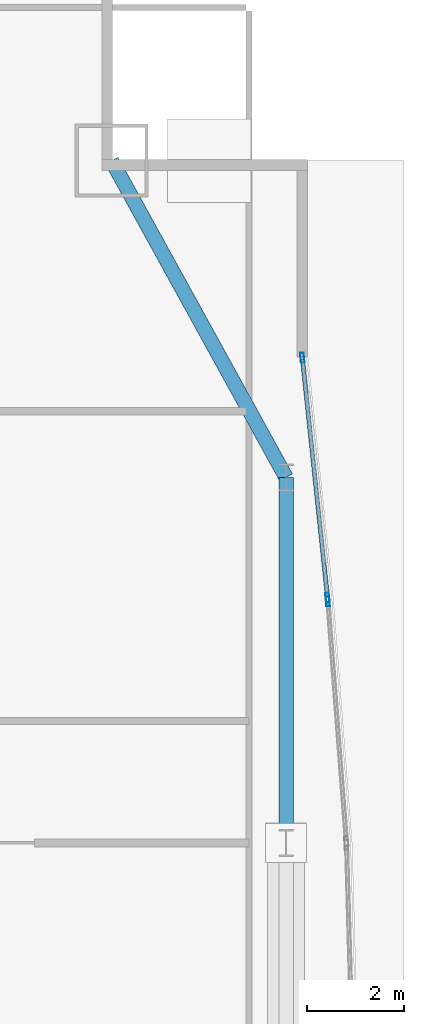
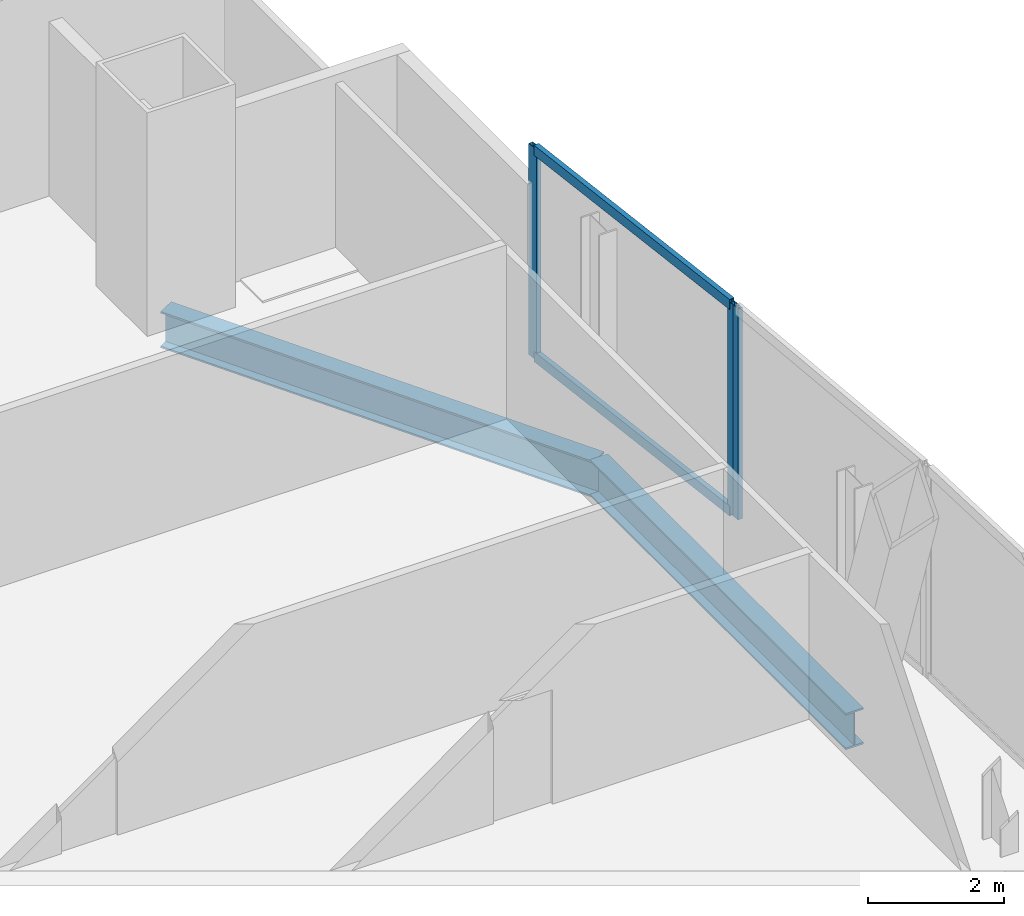
# One storey, part 23 of 32: 5 members, 2 beams, 2 elements without a shape of their own.
"""IFC4 building model written with IfcOpenShell, lengths in metres."""

from ifc_helpers import new_model, si_unit, direction, frame, origin, origin_2d, place, context, subcontext, project, spatial, hollow_rectangle, i_section, extrude, material, material_profile, profile_set, type_object, element, aggregate, save


model = new_model("IFC4")

# Units and contexts
model_context = context("Model", 3, precision=1e-05, world=origin(), true_north=direction((0.0, 1.0)))
body_context = subcontext(model_context, "Body", "Model", "MODEL_VIEW")
ifc_project = project(units=[si_unit("LENGTHUNIT", "METRE"), si_unit("AREAUNIT", "SQUARE_METRE"), si_unit("VOLUMEUNIT", "CUBIC_METRE"), si_unit("PLANEANGLEUNIT", "RADIAN"), si_unit("MASSUNIT", "GRAM", prefix="KILO")], contexts=[model_context])

# Site, building, storey
site_placement = place(None, origin())
site = spatial("IfcSite", under=ifc_project, at=site_placement, CompositionType="ELEMENT")
building_placement = place(site_placement, origin())
building = spatial("IfcBuilding", under=site, at=building_placement, Name="Khoronbel Lancet Exchange", CompositionType="ELEMENT")
storey_placement = place(building_placement, frame((0.0, 0.0, 81.800048828125)))
storey = spatial("IfcBuildingStorey", under=building, at=storey_placement, Name="L19", CompositionType="ELEMENT", Elevation=81.800048828125)

# Beams
ifc_material_1 = material(Name="Steel S355", Category="steel")
ifc_material_profile_1 = material_profile(ifc_material_1, i_section(OverallWidth=0.300048828125, OverallDepth=0.64990234375, WebThickness=0.01611328125, FlangeThickness=0.031005859375, at=origin_2d()), Name="HEB 650")
ifc_profile_set_1 = profile_set([ifc_material_profile_1], Name="Steel S355")
beam_type = type_object("IfcBeamType", Name="BM-BSP1", PredefinedType="SPANDREL", material=ifc_profile_set_1)
beam_1_placement = place(storey_placement, frame((69.6298828125, 35.699951171875, -0.505126953125), z_axis=(0.0, 1.0, 0.0), x_axis=(-1.0, 0.0, 0.0)))
element("IfcBeam", 1, at=beam_1_placement, inside=storey, type_object=beam_type, Name="Level L19 perimeter spandrel beam SP12", PredefinedType="SPANDREL", context=body_context, shape_type="SweptSolid", body=[
    extrude(i_section(OverallWidth=0.300048828125, OverallDepth=0.64990234375, WebThickness=0.01611328125, FlangeThickness=0.031005859375, at=origin_2d()), origin(), (0.0, 0.0, 1.0), 7.5),
])
beam_2_placement = place(storey_placement, frame((69.6298828125, 43.199951171875, -0.505126953125), z_axis=(-0.482418808117, 0.875940690672, 0.0), x_axis=(-0.875940690672, -0.482418808117, 0.0)))
element("IfcBeam", 2, at=beam_2_placement, inside=storey, type_object=beam_type, Name="Level L19 perimeter spandrel beam SP13", PredefinedType="SPANDREL", context=body_context, shape_type="SweptSolid", body=[
    extrude(i_section(OverallWidth=0.300048828125, OverallDepth=0.64990234375, WebThickness=0.01611328125, FlangeThickness=0.031005859375, at=origin_2d()), origin(), (0.0, 0.0, 1.0), 7.420654296875),
])

# Curtain wall, members
ifc_material_2 = material(Name="Low-E Solar Control Insulating Glass", Category="glass")
curtain_wall_type = type_object("IfcCurtainWallType", Name="CW-4", PredefinedType="NOTDEFINED", material=ifc_material_2)
curtain_wall_1_placement = place(storey_placement, origin())
curtain_wall_1 = element("IfcCurtainWall", 3, at=curtain_wall_1_placement, inside=storey, type_object=curtain_wall_type, Name="Unitised curtain wall CW-L19-E17", PredefinedType="NOTDEFINED")
ifc_material_3 = material(Name="Bronze-Anodised Aluminium 6063-T6", Category="aluminium")
ifc_material_profile_2 = material_profile(ifc_material_3, hollow_rectangle(XDim=0.074951171875, YDim=0.199951171875, WallThickness=0.0048828125, at=origin_2d()), Name="ALU MULLION 75x200")
ifc_profile_set_2 = profile_set([ifc_material_profile_2], Name="Bronze-Anodised Aluminium 6063-T6")
member_type_1 = type_object("IfcMemberType", Name="MEM-CWM2", PredefinedType="MULLION", material=ifc_profile_set_2)
member_1_placement = place(storey_placement, frame((69.9638671875, 45.657958984375, 0.0), z_axis=(0.0, 0.0, 1.0), x_axis=(0.994531779003, 0.104434383958, 0.0)))
member_1 = element("IfcMember", 4, at=member_1_placement, type_object=member_type_1, Name="CW4 mullion 1", PredefinedType="MULLION", context=body_context, shape_type="SweptSolid", body=[
    extrude(hollow_rectangle(XDim=0.074951171875, YDim=0.199951171875, WallThickness=0.0048828125, at=origin_2d()), origin(), (0.0, 0.0, 1.0), 3.780029296875),
])
member_2_placement = place(storey_placement, frame((70.4814453125, 40.729248046875, 0.0), z_axis=(0.0, 0.0, 1.0), x_axis=(0.994531779003, 0.104434383958, 0.0)))
member_2 = element("IfcMember", 5, at=member_2_placement, type_object=member_type_1, Name="CW4 mullion 2", PredefinedType="MULLION", context=body_context, shape_type="SweptSolid", body=[
    extrude(hollow_rectangle(XDim=0.074951171875, YDim=0.199951171875, WallThickness=0.0048828125, at=origin_2d()), origin(), (0.0, 0.0, 1.0), 3.780029296875),
])

# Curtain wall, member
curtain_wall_2_placement = place(storey_placement, origin())
curtain_wall_2 = element("IfcCurtainWall", 6, at=curtain_wall_2_placement, inside=storey, type_object=curtain_wall_type, Name="Unitised curtain wall CW-L19-E18", PredefinedType="NOTDEFINED")
member_3_placement = place(storey_placement, frame((70.48828125, 40.654541015625, 0.0), z_axis=(0.0, 0.0, 1.0), x_axis=(0.997059882555, 0.076626304874, 0.0)))
member_3 = element("IfcMember", 7, at=member_3_placement, type_object=member_type_1, Name="CW4 mullion 1", PredefinedType="MULLION", context=body_context, shape_type="SweptSolid", body=[
    extrude(hollow_rectangle(XDim=0.074951171875, YDim=0.199951171875, WallThickness=0.0048828125, at=origin_2d()), origin(), (0.0, 0.0, 1.0), 3.780029296875),
])
aggregate(curtain_wall_2, [member_3])

# Member
ifc_material_profile_3 = material_profile(ifc_material_3, hollow_rectangle(XDim=0.0849609375, YDim=0.179931640625, WallThickness=0.0048828125, at=origin_2d()), Name="ALU TRANSOM 85x180")
ifc_profile_set_3 = profile_set([ifc_material_profile_3], Name="Bronze-Anodised Aluminium 6063-T6")
member_type_2 = type_object("IfcMemberType", Name="MEM-CWT1", PredefinedType="USERDEFINED", material=ifc_profile_set_3)
member_4_placement = place(storey_placement, frame((69.9677734375, 45.62060546875, 0.04248046875), z_axis=(0.104445225696, -0.994530640468, 0.0), x_axis=(0.994530640468, 0.104445225696, 0.0)))
member_4 = element("IfcMember", 8, at=member_4_placement, type_object=member_type_2, Name="CW4 transom 1.1", ObjectType="TRANSOM", PredefinedType="USERDEFINED", context=body_context, shape_type="SweptSolid", body=[
    extrude(hollow_rectangle(XDim=0.0849609375, YDim=0.179931640625, WallThickness=0.0048828125, at=origin_2d()), origin(), (0.0, 0.0, 1.0), 4.880615234375),
])

member_5_placement = place(storey_placement, frame((69.9677734375, 45.62060546875, 3.737548828125), z_axis=(0.104445225696, -0.994530640468, 0.0), x_axis=(0.994530640468, 0.104445225696, 0.0)))
member_5 = element("IfcMember", 9, at=member_5_placement, type_object=member_type_2, Name="CW4 transom 1.2", ObjectType="TRANSOM", PredefinedType="USERDEFINED", context=body_context, shape_type="SweptSolid", body=[
    extrude(hollow_rectangle(XDim=0.0849609375, YDim=0.179931640625, WallThickness=0.0048828125, at=origin_2d()), origin(), (0.0, 0.0, 1.0), 4.880615234375),
])

aggregate(curtain_wall_1, [member_1, member_2, member_4, member_5])

save(model, "model.ifc")
